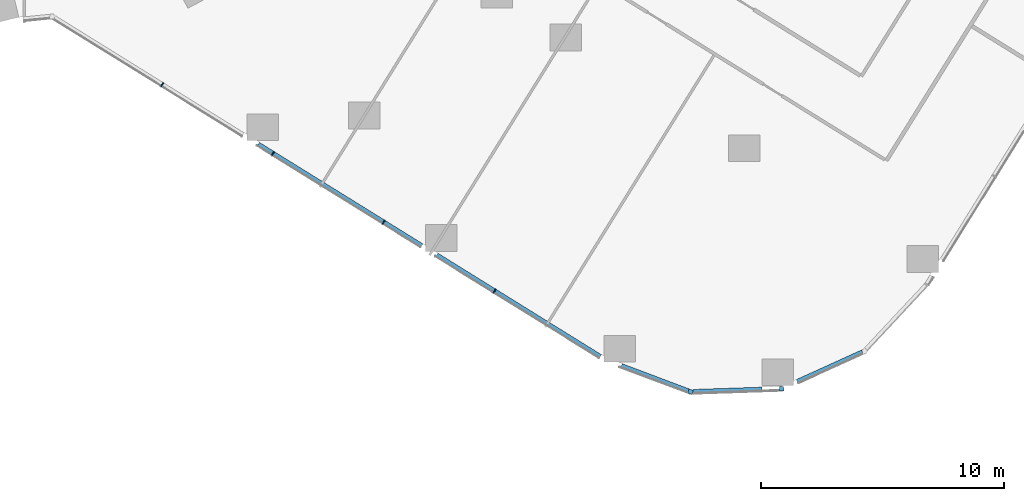
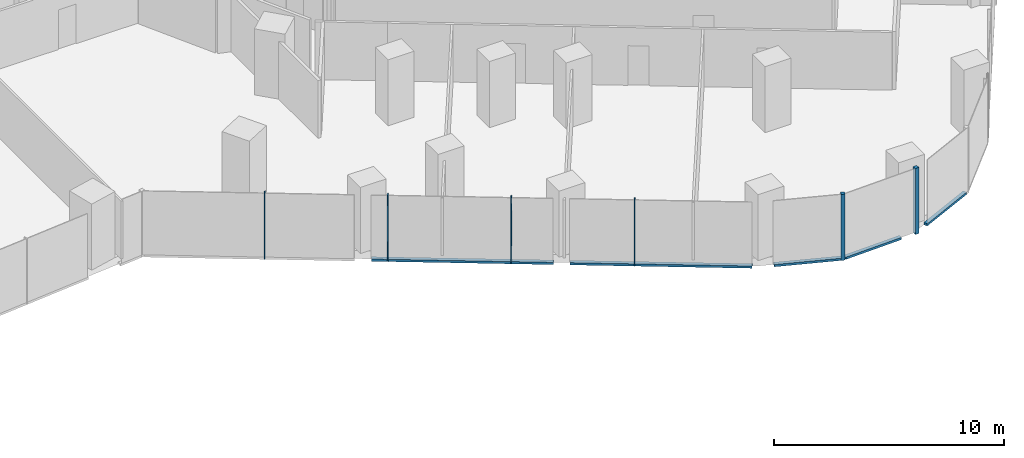
# One storey, part 7 of 34: 11 members, 4 elements without a shape of their own.
"""IFC4 building model written with IfcOpenShell, lengths in metres."""

import ifcopenshell
import ifcopenshell.guid

model = None  # the IFC model being written
_history = None  # IfcOwnerHistory: only IFC2X3 demands one
_inside = {}  # id of a spatial element -> (the spatial element, [elements in it])
_under = {}  # id of a project, library or spatial element -> (it, [spatial elements below it])
_declared = {}  # id of a project -> (the project, [libraries it declares])
_typed = {}  # id of a type object -> (the type object, [elements of that type])
_made_of = {}  # id of a material, layer set ... -> (it, [elements and type objects made of it])


def new_model(schema):
    """Start an empty IFC model of exactly this schema.

    Asked for "IFC4X3", IfcOpenShell would pick the latest addendum, in which some entities
    have other attributes; the version numbers below select the first issue.
    IFC2X3 requires an IfcOwnerHistory on every rooted entity: one is made here for all.
    """
    global model, _history
    if schema == "IFC4X3":
        model = ifcopenshell.file(schema_version=(4, 3, 0, 0))
    else:
        model = ifcopenshell.file(schema=schema)
    _inside.clear()
    _under.clear()
    _declared.clear()
    _typed.clear()
    _made_of.clear()
    _history = None
    if model.schema == "IFC2X3":
        org = make("IfcOrganization", Name="unknown")
        user = make(
            "IfcPersonAndOrganization",
            ThePerson=make("IfcPerson", FamilyName="unknown"),
            TheOrganization=org,
        )
        app = make(
            "IfcApplication",
            ApplicationDeveloper=org,
            Version="unknown",
            ApplicationFullName="unknown",
            ApplicationIdentifier="unknown",
        )
        _history = make(
            "IfcOwnerHistory",
            OwningUser=user,
            OwningApplication=app,
            ChangeAction="ADDED",
            CreationDate=0,
        )
    return model


def make(cls, **values):
    """One entity of the class cls with the attributes given. An attribute that is None is left unset."""
    return model.create_entity(
        cls, **{name: value for name, value in values.items() if value is not None}
    )


def rooted(cls, **values):
    """An entity with a GlobalId (a new one), such as an element, a storey or a relation."""
    return make(cls, GlobalId=ifcopenshell.guid.new(), OwnerHistory=_history, **values)


def si_unit(unit_type, name, prefix=None):
    """IfcSIUnit, for example si_unit("LENGTHUNIT", "METRE", prefix="MILLI")."""
    return make("IfcSIUnit", UnitType=unit_type, Prefix=prefix, Name=name)


def assignment(units):
    """IfcUnitAssignment: the units of a project."""
    return None if units is None else make("IfcUnitAssignment", Units=units)


def point(xyz):
    """IfcCartesianPoint."""
    return None if xyz is None else make("IfcCartesianPoint", Coordinates=xyz)


def direction(xyz):
    """IfcDirection."""
    return None if xyz is None else make("IfcDirection", DirectionRatios=xyz)


def frame(location, z_axis=None, x_axis=None):
    """IfcAxis2Placement3D, a coordinate frame: its origin and axes. An axis left out is left unset."""
    return make(
        "IfcAxis2Placement3D",
        Location=point(location),
        Axis=direction(z_axis),
        RefDirection=direction(x_axis),
    )


def frame_2d(location, x_axis=None):
    """IfcAxis2Placement2D, a coordinate frame in the plane: its origin and x axis."""
    return make(
        "IfcAxis2Placement2D", Location=point(location), RefDirection=direction(x_axis)
    )


def origin():
    """The frame at (0, 0, 0) with its axes left unset."""
    return frame((0.0, 0.0, 0.0))


def origin_2d():
    """The frame at (0, 0) in the plane with its x axis left unset."""
    return frame_2d((0.0, 0.0))


def place(relative_to, where):
    """IfcLocalPlacement: puts the frame where relative to a parent placement (None: the world)."""
    return make(
        "IfcLocalPlacement", PlacementRelTo=relative_to, RelativePlacement=where
    )


def context(
    kind, dimensions, precision=None, world=None, true_north=None, identifier=None
):
    """IfcGeometricRepresentationContext, for example the 3D "Model" context."""
    return make(
        "IfcGeometricRepresentationContext",
        ContextIdentifier=identifier,
        ContextType=kind,
        CoordinateSpaceDimension=dimensions,
        Precision=precision,
        WorldCoordinateSystem=world,
        TrueNorth=true_north,
    )


def subcontext(parent, identifier, kind, view, scale=None):
    """IfcGeometricRepresentationSubContext, for example "Body" below "Model"."""
    return make(
        "IfcGeometricRepresentationSubContext",
        ContextIdentifier=identifier,
        ContextType=kind,
        ParentContext=parent,
        TargetScale=scale,
        TargetView=view,
    )


def project(units=None, contexts=None):
    """IfcProject with its units and contexts."""
    return rooted(
        "IfcProject",
        Name="project",
        RepresentationContexts=contexts,
        UnitsInContext=assignment(units),
    )


def spatial(cls, under=None, at=None, **own):
    """A site, building, storey or space (cls), placed at a placement, below another one or the project."""
    s = rooted(cls, ObjectPlacement=at, **own)
    if under is not None:
        _under.setdefault(under.id(), (under, []))[1].append(s)
    return s


def profile(cls, at=None, kind="AREA", **sizes):
    """A parametric profile (cls). Its sizes go by their IFC names, for example OverallWidth=200.0."""
    return make(cls, ProfileType=kind, Position=at, **sizes)


def rectangle(**sizes):
    """IfcRectangleProfileDef."""
    return profile("IfcRectangleProfileDef", **sizes)


def extrude(swept, where, along, depth):
    """IfcExtrudedAreaSolid: the profile swept, set in the frame where, extruded along a direction by depth."""
    return make(
        "IfcExtrudedAreaSolid",
        SweptArea=swept,
        Position=where,
        ExtrudedDirection=direction(along),
        Depth=depth,
    )


def shape(context_of_items, identifier, shape_type, items):
    """IfcShapeRepresentation: the items that make up one representation, for example the "Body"."""
    return make(
        "IfcShapeRepresentation",
        ContextOfItems=context_of_items,
        RepresentationIdentifier=identifier,
        RepresentationType=shape_type,
        Items=items,
    )


def material(Name=None, Category=None):
    """IfcMaterial."""
    return make("IfcMaterial", Name=Name, Category=Category)


def material_profile(
    of_material, cross_section, Name=None, Category=None, Priority=None
):
    """IfcMaterialProfile: a cross section and its material."""
    return make(
        "IfcMaterialProfile",
        Name=Name,
        Material=of_material,
        Profile=cross_section,
        Priority=Priority,
        Category=Category,
    )


def profile_set(profiles, Name=None, composite=None):
    """IfcMaterialProfileSet."""
    return make(
        "IfcMaterialProfileSet",
        Name=Name,
        MaterialProfiles=profiles,
        CompositeProfile=composite,
    )


def made_of(thing, what):
    """Note that an element or type object is made of a material, layer set ...; save() writes the relation."""
    if what is not None:
        _made_of.setdefault(what.id(), (what, []))[1].append(thing)
    return thing


def type_object(cls, material=None, **own):
    """A type object (cls), such as IfcWallType, which elements share."""
    return made_of(rooted(cls, **own), material)


def element(
    cls,
    number,
    at=None,
    inside=None,
    cuts=None,
    type_object=None,
    material=None,
    context=None,
    identifier="Body",
    shape_type=None,
    held_by="IfcProductDefinitionShape",
    body=None,
    shapes=None,
    **own,
):
    """One element of the class cls, such as IfcWall. Its Tag is "e" and its number.

    at: its placement. inside: the storey or other place that contains it. cuts: it is an
    opening in that element (IfcRelVoidsElement). A single representation is given by context,
    identifier, shape_type and body (its items); several are given by shapes. held_by: the class
    of the entity that holds the representations. save() writes the other relations.
    """
    e = rooted(cls, Tag="e%d" % number, ObjectPlacement=at, **own)
    if body is not None:
        shapes = [shape(context, identifier, shape_type, body)]
    if shapes is not None:
        e.Representation = make(held_by, Representations=shapes)
    if inside is not None:
        _inside.setdefault(inside.id(), (inside, []))[1].append(e)
    if cuts is not None:
        rooted(
            "IfcRelVoidsElement", RelatingBuildingElement=cuts, RelatedOpeningElement=e
        )
    if type_object is not None:
        _typed.setdefault(type_object.id(), (type_object, []))[1].append(e)
    return made_of(e, material)


def aggregate(whole, parts):
    """IfcRelAggregates: a whole, such as a stair, and the parts it consists of."""
    return rooted("IfcRelAggregates", RelatingObject=whole, RelatedObjects=parts)


def save(model, path):
    """Write the relations noted so far, then the file.

    IfcRelAggregates (storeys below a building ...), IfcRelContainedInSpatialStructure (elements
    in a storey), IfcRelDefinesByType, IfcRelAssociatesMaterial and IfcRelDeclares: one each for
    every whole, place, type object, material and project.
    """
    for whole, parts in _under.values():
        aggregate(whole, parts)
    for where, things in _inside.values():
        rooted(
            "IfcRelContainedInSpatialStructure",
            RelatedElements=things,
            RelatingStructure=where,
        )
    for kind, things in _typed.values():
        rooted("IfcRelDefinesByType", RelatedObjects=things, RelatingType=kind)
    for what, things in _made_of.values():
        rooted("IfcRelAssociatesMaterial", RelatedObjects=things, RelatingMaterial=what)
    for by, libraries in _declared.values():
        rooted("IfcRelDeclares", RelatingContext=by, RelatedDefinitions=libraries)
    model.write(path)


model = new_model("IFC4")

# Units and contexts
model_context = context("Model", 3, precision=1e-05, world=origin(), true_north=direction((0.0, 1.0)))
body_context = subcontext(model_context, "Body", "Model", "MODEL_VIEW")
ifc_project = project(units=[si_unit("LENGTHUNIT", "METRE"), si_unit("AREAUNIT", "SQUARE_METRE"), si_unit("VOLUMEUNIT", "CUBIC_METRE"), si_unit("PLANEANGLEUNIT", "RADIAN"), si_unit("MASSUNIT", "GRAM", prefix="KILO")], contexts=[model_context])

# Site, building, storey
site_placement = place(None, origin())
site = spatial("IfcSite", under=ifc_project, at=site_placement, CompositionType="ELEMENT")
building_placement = place(site_placement, origin())
building = spatial("IfcBuilding", under=site, at=building_placement, Name="Orlundy Tower", CompositionType="ELEMENT")
storey_placement = place(building_placement, frame((0.0, 0.0, 47.800048828125)))
storey = spatial("IfcBuildingStorey", under=building, at=storey_placement, Name="L10", CompositionType="ELEMENT", Elevation=47.800048828125)

# Curtain wall, member
ifc_material_1 = material(Name="Aluminium bronze anodised", Category="aluminium")
curtain_wall_type = type_object("IfcCurtainWallType", Name="CW1 wall", PredefinedType="NOTDEFINED", material=ifc_material_1)
curtain_wall_1_placement = place(storey_placement, origin())
curtain_wall_1 = element("IfcCurtainWall", 1, at=curtain_wall_1_placement, inside=storey, type_object=curtain_wall_type, Name="CW1 run 014", PredefinedType="NOTDEFINED")
ifc_material_2 = material(Name="Aluminium bronze anodised", Category="aluminium")
ifc_material_profile_1 = material_profile(ifc_material_2, rectangle(XDim=0.179931640625, YDim=0.179931640625, at=origin_2d()), Name="CW1 corner post 180x180")
ifc_profile_set_1 = profile_set([ifc_material_profile_1], Name="Aluminium bronze anodised")
member_type_1 = type_object("IfcMemberType", Name="CW1 corner post 180x180", PredefinedType="MULLION", material=ifc_profile_set_1)
member_1_placement = place(storey_placement, frame((39.1259765625, -44.63232421875, -0.420166015625), z_axis=(0.0, 0.0, 1.0), x_axis=(0.033449557474, -0.99944040698, 0.0)))
member_1 = element("IfcMember", 2, at=member_1_placement, type_object=member_type_1, Name="CW1 mullion 42", PredefinedType="MULLION", context=body_context, shape_type="SweptSolid", body=[
    extrude(rectangle(XDim=0.179931640625, YDim=0.179931640625, at=origin_2d()), origin(), (0.0, 0.0, 1.0), 3.5),
])

curtain_wall_2_placement = place(storey_placement, origin())
curtain_wall_2 = element("IfcCurtainWall", 3, at=curtain_wall_2_placement, inside=storey, type_object=curtain_wall_type, Name="CW1 run 015", PredefinedType="NOTDEFINED")
member_2_placement = place(storey_placement, frame((35.385009765625, -44.757568359375, -0.420166015625), z_axis=(0.0, 0.0, 1.0), x_axis=(-0.351537332791, -0.936173864009, 0.0)))
member_2 = element("IfcMember", 4, at=member_2_placement, type_object=member_type_1, Name="CW1 mullion 43", PredefinedType="MULLION", context=body_context, shape_type="SweptSolid", body=[
    extrude(rectangle(XDim=0.179931640625, YDim=0.179931640625, at=origin_2d()), origin(), (0.0, 0.0, 1.0), 3.5),
])

# Curtain wall, members
curtain_wall_3_placement = place(storey_placement, origin())
curtain_wall_3 = element("IfcCurtainWall", 5, at=curtain_wall_3_placement, inside=storey, type_object=curtain_wall_type, Name="CW1 run 016", PredefinedType="NOTDEFINED")
ifc_material_3 = material(Name="Aluminium bronze anodised", Category="aluminium")
ifc_material_profile_2 = material_profile(ifc_material_3, rectangle(XDim=0.179931640625, YDim=0.050048828125, at=origin_2d()), Name="CW1 mullion 50x180")
ifc_profile_set_2 = profile_set([ifc_material_profile_2], Name="Aluminium bronze anodised")
member_type_2 = type_object("IfcMemberType", Name="CW1 mullion 50x180", PredefinedType="MULLION", material=ifc_profile_set_2)
member_3_placement = place(storey_placement, frame((27.33154296875, -40.614990234375, -0.420166015625), z_axis=(0.0, 0.0, 1.0), x_axis=(-0.52744929328, -0.849586512969, 0.0)))
member_3 = element("IfcMember", 6, at=member_3_placement, type_object=member_type_2, Name="CW1 mullion 45", PredefinedType="MULLION", context=body_context, shape_type="SweptSolid", body=[
    extrude(rectangle(XDim=0.179931640625, YDim=0.050048828125, at=origin_2d()), origin(), (0.0, 0.0, 1.0), 3.5),
])
member_4_placement = place(storey_placement, frame((22.780517578125, -37.78955078125, -0.420166015625), z_axis=(0.0, 0.0, 1.0), x_axis=(-0.52744929328, -0.849586512969, 0.0)))
member_4 = element("IfcMember", 7, at=member_4_placement, type_object=member_type_2, Name="CW1 mullion 46", PredefinedType="MULLION", context=body_context, shape_type="SweptSolid", body=[
    extrude(rectangle(XDim=0.179931640625, YDim=0.050048828125, at=origin_2d()), origin(), (0.0, 0.0, 1.0), 3.5),
])
member_5_placement = place(storey_placement, frame((18.2294921875, -34.96435546875, -0.420166015625), z_axis=(0.0, 0.0, 1.0), x_axis=(-0.52744929328, -0.849586512969, 0.0)))
member_5 = element("IfcMember", 8, at=member_5_placement, type_object=member_type_2, Name="CW1 mullion 47", PredefinedType="MULLION", context=body_context, shape_type="SweptSolid", body=[
    extrude(rectangle(XDim=0.179931640625, YDim=0.050048828125, at=origin_2d()), origin(), (0.0, 0.0, 1.0), 3.5),
])
member_6_placement = place(storey_placement, frame((13.678466796875, -32.138916015625, -0.420166015625), z_axis=(0.0, 0.0, 1.0), x_axis=(-0.52744929328, -0.849586512969, 0.0)))
member_6 = element("IfcMember", 9, at=member_6_placement, type_object=member_type_2, Name="CW1 mullion 48", PredefinedType="MULLION", context=body_context, shape_type="SweptSolid", body=[
    extrude(rectangle(XDim=0.179931640625, YDim=0.050048828125, at=origin_2d()), origin(), (0.0, 0.0, 1.0), 3.5),
])

# Curtain wall, member
curtain_wall_4_placement = place(storey_placement, origin())
curtain_wall_4 = element("IfcCurtainWall", 10, at=curtain_wall_4_placement, inside=storey, type_object=curtain_wall_type, Name="CW1 run 013", PredefinedType="NOTDEFINED")
ifc_material_4 = material(Name="Aluminium bronze anodised", Category="aluminium")
ifc_material_profile_3 = material_profile(ifc_material_4, rectangle(XDim=0.179931640625, YDim=0.1201171875, at=origin_2d()), Name="CW1 transom 180x120")
ifc_profile_set_3 = profile_set([ifc_material_profile_3], Name="Aluminium bronze anodised")
member_type_3 = type_object("IfcMemberType", Name="CW1 transom 180x120", PredefinedType="USERDEFINED", material=ifc_profile_set_3)
member_7_placement = place(storey_placement, frame((42.45166015625, -43.122802734375, -0.360107421875), z_axis=(-0.910596137733, -0.413297319064, 0.0), x_axis=(0.413297319064, -0.910596137733, 0.0)))
member_7 = element("IfcMember", 11, at=member_7_placement, type_object=member_type_3, Name="CW1 transom", ObjectType="TRANSOM", PredefinedType="USERDEFINED", context=body_context, shape_type="SweptSolid", body=[
    extrude(rectangle(XDim=0.179931640625, YDim=0.1201171875, at=origin_2d()), origin(), (0.0, 0.0, 1.0), 2.947021484375),
])
aggregate(curtain_wall_4, [member_7])

# Member
member_8_placement = place(storey_placement, frame((38.32958984375, -44.658935546875, -0.360107421875), z_axis=(-0.999438420186, -0.033508868315, 0.0), x_axis=(0.033508868315, -0.999438420186, 0.0)))
member_8 = element("IfcMember", 12, at=member_8_placement, type_object=member_type_3, Name="CW1 transom", ObjectType="TRANSOM", PredefinedType="USERDEFINED", context=body_context, shape_type="SweptSolid", body=[
    extrude(rectangle(XDim=0.179931640625, YDim=0.1201171875, at=origin_2d()), origin(), (0.0, 0.0, 1.0), 2.848876953125),
])

aggregate(curtain_wall_1, [member_1, member_8])

member_9_placement = place(storey_placement, frame((35.30078125, -44.725830078125, -0.360107421875), z_axis=(-0.9361721635, 0.35154186136, 0.0), x_axis=(-0.35154186136, -0.9361721635, 0.0)))
member_9 = element("IfcMember", 13, at=member_9_placement, type_object=member_type_3, Name="CW1 transom", ObjectType="TRANSOM", PredefinedType="USERDEFINED", context=body_context, shape_type="SweptSolid", body=[
    extrude(rectangle(XDim=0.179931640625, YDim=0.1201171875, at=origin_2d()), origin(), (0.0, 0.0, 1.0), 2.941162109375),
])

aggregate(curtain_wall_2, [member_2, member_9])

member_10_placement = place(storey_placement, frame((31.675048828125, -43.3115234375, -0.360107421875), z_axis=(-0.849597227848, 0.527432033947, 0.0), x_axis=(-0.527432033947, -0.849597227848, 0.0)))
member_10 = element("IfcMember", 14, at=member_10_placement, type_object=member_type_3, Name="CW1 transom", ObjectType="TRANSOM", PredefinedType="USERDEFINED", context=body_context, shape_type="SweptSolid", body=[
    extrude(rectangle(XDim=0.179931640625, YDim=0.1201171875, at=origin_2d()), origin(), (0.0, 0.0, 1.0), 7.906982421875),
])

member_11_placement = place(storey_placement, frame((24.339111328125, -38.75732421875, -0.360107421875), z_axis=(-0.849575259851, 0.527467418756, 0.0), x_axis=(-0.527467418756, -0.849575259851, 0.0)))
member_11 = element("IfcMember", 15, at=member_11_placement, type_object=member_type_3, Name="CW1 transom", ObjectType="TRANSOM", PredefinedType="USERDEFINED", context=body_context, shape_type="SweptSolid", body=[
    extrude(rectangle(XDim=0.179931640625, YDim=0.1201171875, at=origin_2d()), origin(), (0.0, 0.0, 1.0), 7.904541015625),
])

aggregate(curtain_wall_3, [member_3, member_4, member_5, member_6, member_10, member_11])

save(model, "model.ifc")
